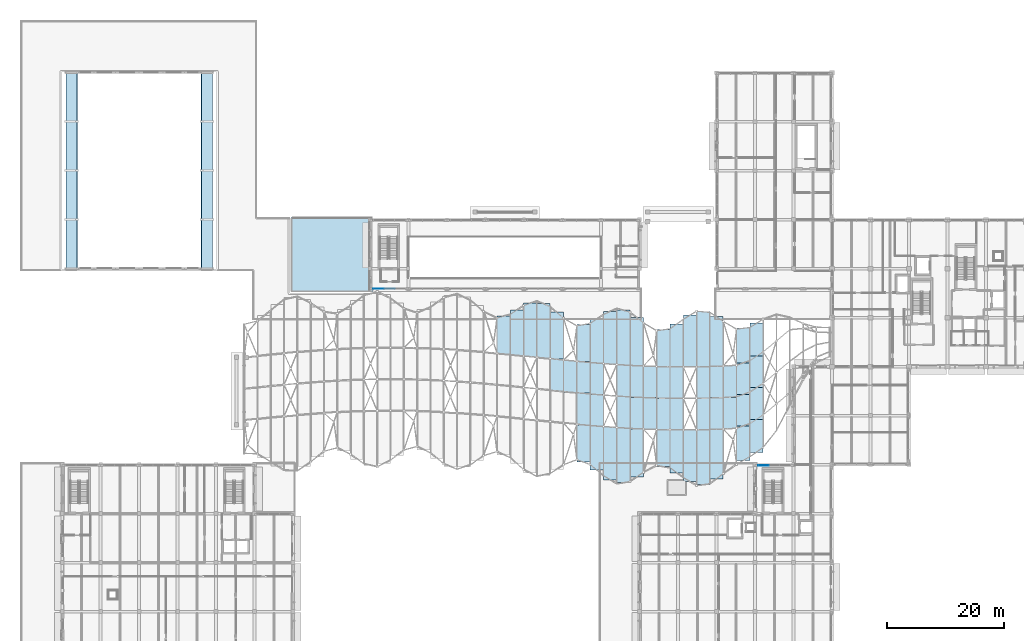
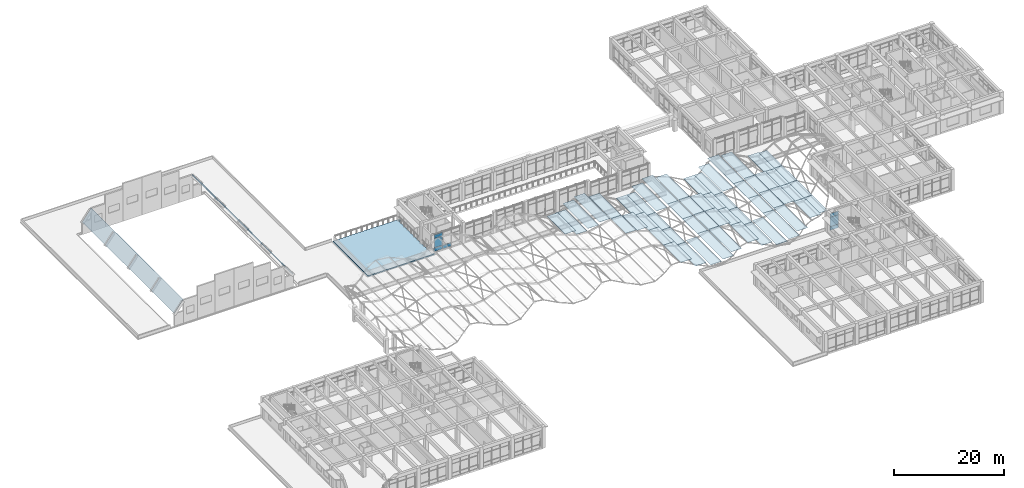
# One storey, part 37 of 79: 62 plates, 3 slabs, 2 elements without a shape of their own.
"""IFC4 building model written with IfcOpenShell, lengths in metres."""

import ifcopenshell
import ifcopenshell.guid

model = None  # the IFC model being written
_history = None  # IfcOwnerHistory: only IFC2X3 demands one
_inside = {}  # id of a spatial element -> (the spatial element, [elements in it])
_under = {}  # id of a project, library or spatial element -> (it, [spatial elements below it])
_declared = {}  # id of a project -> (the project, [libraries it declares])
_typed = {}  # id of a type object -> (the type object, [elements of that type])
_made_of = {}  # id of a material, layer set ... -> (it, [elements and type objects made of it])


def new_model(schema):
    """Start an empty IFC model of exactly this schema.

    Asked for "IFC4X3", IfcOpenShell would pick the latest addendum, in which some entities
    have other attributes; the version numbers below select the first issue.
    IFC2X3 requires an IfcOwnerHistory on every rooted entity: one is made here for all.
    """
    global model, _history
    if schema == "IFC4X3":
        model = ifcopenshell.file(schema_version=(4, 3, 0, 0))
    else:
        model = ifcopenshell.file(schema=schema)
    _inside.clear()
    _under.clear()
    _declared.clear()
    _typed.clear()
    _made_of.clear()
    _history = None
    if model.schema == "IFC2X3":
        org = make("IfcOrganization", Name="unknown")
        user = make(
            "IfcPersonAndOrganization",
            ThePerson=make("IfcPerson", FamilyName="unknown"),
            TheOrganization=org,
        )
        app = make(
            "IfcApplication",
            ApplicationDeveloper=org,
            Version="unknown",
            ApplicationFullName="unknown",
            ApplicationIdentifier="unknown",
        )
        _history = make(
            "IfcOwnerHistory",
            OwningUser=user,
            OwningApplication=app,
            ChangeAction="ADDED",
            CreationDate=0,
        )
    return model


def make(cls, **values):
    """One entity of the class cls with the attributes given. An attribute that is None is left unset."""
    return model.create_entity(
        cls, **{name: value for name, value in values.items() if value is not None}
    )


def rooted(cls, **values):
    """An entity with a GlobalId (a new one), such as an element, a storey or a relation."""
    return make(cls, GlobalId=ifcopenshell.guid.new(), OwnerHistory=_history, **values)


def si_unit(unit_type, name, prefix=None):
    """IfcSIUnit, for example si_unit("LENGTHUNIT", "METRE", prefix="MILLI")."""
    return make("IfcSIUnit", UnitType=unit_type, Prefix=prefix, Name=name)


def assignment(units):
    """IfcUnitAssignment: the units of a project."""
    return None if units is None else make("IfcUnitAssignment", Units=units)


def point(xyz):
    """IfcCartesianPoint."""
    return None if xyz is None else make("IfcCartesianPoint", Coordinates=xyz)


def direction(xyz):
    """IfcDirection."""
    return None if xyz is None else make("IfcDirection", DirectionRatios=xyz)


def frame(location, z_axis=None, x_axis=None):
    """IfcAxis2Placement3D, a coordinate frame: its origin and axes. An axis left out is left unset."""
    return make(
        "IfcAxis2Placement3D",
        Location=point(location),
        Axis=direction(z_axis),
        RefDirection=direction(x_axis),
    )


def frame_2d(location, x_axis=None):
    """IfcAxis2Placement2D, a coordinate frame in the plane: its origin and x axis."""
    return make(
        "IfcAxis2Placement2D", Location=point(location), RefDirection=direction(x_axis)
    )


def origin():
    """The frame at (0, 0, 0) with its axes left unset."""
    return frame((0.0, 0.0, 0.0))


def origin_2d():
    """The frame at (0, 0) in the plane with its x axis left unset."""
    return frame_2d((0.0, 0.0))


def place(relative_to, where):
    """IfcLocalPlacement: puts the frame where relative to a parent placement (None: the world)."""
    return make(
        "IfcLocalPlacement", PlacementRelTo=relative_to, RelativePlacement=where
    )


def context(
    kind, dimensions, precision=None, world=None, true_north=None, identifier=None
):
    """IfcGeometricRepresentationContext, for example the 3D "Model" context."""
    return make(
        "IfcGeometricRepresentationContext",
        ContextIdentifier=identifier,
        ContextType=kind,
        CoordinateSpaceDimension=dimensions,
        Precision=precision,
        WorldCoordinateSystem=world,
        TrueNorth=true_north,
    )


def subcontext(parent, identifier, kind, view, scale=None):
    """IfcGeometricRepresentationSubContext, for example "Body" below "Model"."""
    return make(
        "IfcGeometricRepresentationSubContext",
        ContextIdentifier=identifier,
        ContextType=kind,
        ParentContext=parent,
        TargetScale=scale,
        TargetView=view,
    )


def project(units=None, contexts=None):
    """IfcProject with its units and contexts."""
    return rooted(
        "IfcProject",
        Name="project",
        RepresentationContexts=contexts,
        UnitsInContext=assignment(units),
    )


def spatial(cls, under=None, at=None, **own):
    """A site, building, storey or space (cls), placed at a placement, below another one or the project."""
    s = rooted(cls, ObjectPlacement=at, **own)
    if under is not None:
        _under.setdefault(under.id(), (under, []))[1].append(s)
    return s


def polyline(points):
    """IfcPolyline through the points."""
    return make("IfcPolyline", Points=[point(p) for p in points])


def profile(cls, at=None, kind="AREA", **sizes):
    """A parametric profile (cls). Its sizes go by their IFC names, for example OverallWidth=200.0."""
    return make(cls, ProfileType=kind, Position=at, **sizes)


def rectangle(**sizes):
    """IfcRectangleProfileDef."""
    return profile("IfcRectangleProfileDef", **sizes)


def outline(outer, holes=None, kind="AREA"):
    """IfcArbitraryClosedProfileDef: a profile drawn as a closed curve; with holes, ...WithVoids."""
    if holes is None:
        return make("IfcArbitraryClosedProfileDef", ProfileType=kind, OuterCurve=outer)
    return make(
        "IfcArbitraryProfileDefWithVoids",
        ProfileType=kind,
        OuterCurve=outer,
        InnerCurves=holes,
    )


def extrude(swept, where, along, depth):
    """IfcExtrudedAreaSolid: the profile swept, set in the frame where, extruded along a direction by depth."""
    return make(
        "IfcExtrudedAreaSolid",
        SweptArea=swept,
        Position=where,
        ExtrudedDirection=direction(along),
        Depth=depth,
    )


def shape(context_of_items, identifier, shape_type, items):
    """IfcShapeRepresentation: the items that make up one representation, for example the "Body"."""
    return make(
        "IfcShapeRepresentation",
        ContextOfItems=context_of_items,
        RepresentationIdentifier=identifier,
        RepresentationType=shape_type,
        Items=items,
    )


def material(Name=None, Category=None):
    """IfcMaterial."""
    return make("IfcMaterial", Name=Name, Category=Category)


def layer(
    of_material, thickness, ventilated=None, Name=None, Category=None, Priority=None
):
    """IfcMaterialLayer: one layer of a wall or slab, of a material (None: an air gap)."""
    return make(
        "IfcMaterialLayer",
        Material=of_material,
        LayerThickness=thickness,
        IsVentilated=ventilated,
        Name=Name,
        Category=Category,
        Priority=Priority,
    )


def layer_set(layers, Name=None):
    """IfcMaterialLayerSet."""
    return make("IfcMaterialLayerSet", MaterialLayers=layers, LayerSetName=Name)


def made_of(thing, what):
    """Note that an element or type object is made of a material, layer set ...; save() writes the relation."""
    if what is not None:
        _made_of.setdefault(what.id(), (what, []))[1].append(thing)
    return thing


def type_object(cls, material=None, **own):
    """A type object (cls), such as IfcWallType, which elements share."""
    return made_of(rooted(cls, **own), material)


def element(
    cls,
    number,
    at=None,
    inside=None,
    cuts=None,
    type_object=None,
    material=None,
    context=None,
    identifier="Body",
    shape_type=None,
    held_by="IfcProductDefinitionShape",
    body=None,
    shapes=None,
    **own,
):
    """One element of the class cls, such as IfcWall. Its Tag is "e" and its number.

    at: its placement. inside: the storey or other place that contains it. cuts: it is an
    opening in that element (IfcRelVoidsElement). A single representation is given by context,
    identifier, shape_type and body (its items); several are given by shapes. held_by: the class
    of the entity that holds the representations. save() writes the other relations.
    """
    e = rooted(cls, Tag="e%d" % number, ObjectPlacement=at, **own)
    if body is not None:
        shapes = [shape(context, identifier, shape_type, body)]
    if shapes is not None:
        e.Representation = make(held_by, Representations=shapes)
    if inside is not None:
        _inside.setdefault(inside.id(), (inside, []))[1].append(e)
    if cuts is not None:
        rooted(
            "IfcRelVoidsElement", RelatingBuildingElement=cuts, RelatedOpeningElement=e
        )
    if type_object is not None:
        _typed.setdefault(type_object.id(), (type_object, []))[1].append(e)
    return made_of(e, material)


def aggregate(whole, parts):
    """IfcRelAggregates: a whole, such as a stair, and the parts it consists of."""
    return rooted("IfcRelAggregates", RelatingObject=whole, RelatedObjects=parts)


def save(model, path):
    """Write the relations noted so far, then the file.

    IfcRelAggregates (storeys below a building ...), IfcRelContainedInSpatialStructure (elements
    in a storey), IfcRelDefinesByType, IfcRelAssociatesMaterial and IfcRelDeclares: one each for
    every whole, place, type object, material and project.
    """
    for whole, parts in _under.values():
        aggregate(whole, parts)
    for where, things in _inside.values():
        rooted(
            "IfcRelContainedInSpatialStructure",
            RelatedElements=things,
            RelatingStructure=where,
        )
    for kind, things in _typed.values():
        rooted("IfcRelDefinesByType", RelatedObjects=things, RelatingType=kind)
    for what, things in _made_of.values():
        rooted("IfcRelAssociatesMaterial", RelatedObjects=things, RelatingMaterial=what)
    for by, libraries in _declared.values():
        rooted("IfcRelDeclares", RelatingContext=by, RelatedDefinitions=libraries)
    model.write(path)


model = new_model("IFC4")

# Units and contexts
model_context = context("Model", 3, precision=1e-05, world=origin(), true_north=direction((0.0, 1.0)))
body_context = subcontext(model_context, "Body", "Model", "MODEL_VIEW")
ifc_project = project(units=[si_unit("LENGTHUNIT", "METRE"), si_unit("AREAUNIT", "SQUARE_METRE"), si_unit("VOLUMEUNIT", "CUBIC_METRE"), si_unit("PLANEANGLEUNIT", "RADIAN"), si_unit("MASSUNIT", "GRAM", prefix="KILO")], contexts=[model_context])

# Site, building, storey
site_placement = place(None, origin())
site = spatial("IfcSite", under=ifc_project, at=site_placement, CompositionType="ELEMENT")
building_placement = place(site_placement, origin())
building = spatial("IfcBuilding", under=site, at=building_placement, Name="Kolvaren Faculty of Natural Sciences", CompositionType="ELEMENT")
storey_placement = place(building_placement, frame((0.0, 0.0, 10.199951171875)))
storey = spatial("IfcBuildingStorey", under=building, at=storey_placement, Name="L02", CompositionType="ELEMENT", Elevation=10.199951171875)

# Slabs
ifc_material_1 = material(Name="Concrete C40/50", Category="concrete")
ifc_layer_1 = layer(ifc_material_1, 0.110107421875)
ifc_layer_set_1 = layer_set([ifc_layer_1], Name="Concrete C40/50")
slab_type_1 = type_object("IfcSlabType", Name="BarrelShellStrip_110", PredefinedType="ROOF", material=ifc_layer_set_1)
for number, where, z_axis, x_axis, name in (
    (1, (7.446044921875, 75.800048828125, 2.71923828125), (-0.794530605867, 0.0, 0.60722410718), (0.60722410718, 0.0, 0.794530605867), "Lecture Theatre Pavilion Barrel Vault Shell vault strip 2"),
    (2, (30.678955078125, 75.800048828125, 5.172607421875), (0.794530605867, 0.0, 0.60722410718), (0.60722410718, 0.0, -0.794530605867), "Lecture Theatre Pavilion Barrel Vault Shell vault strip 9"),
):
    element("IfcSlab", number, at=place(storey_placement, frame(where, z_axis=z_axis, x_axis=x_axis)), inside=storey, type_object=slab_type_1, Name=name, PredefinedType="ROOF", context=body_context, shape_type="SweptSolid", body=[
        extrude(outline(polyline([(0.0, 0.0), (3.0878220706787904, 0.0), (3.0878220706787904, 33.59985351562501), (0.0, 33.59985351562501), (0.0, 0.0)])), origin(), (0.0, 0.0, -1.0), 0.110107421875),
    ])

# Plates
ifc_material_2 = material(Name="Double low-E solar control laminated skylight glass", Category="glass")
ifc_layer_2 = layer(ifc_material_2, 0.031982421875)
ifc_layer_set_2 = layer_set([ifc_layer_2], Name="Double low-E solar control laminated skylight glass")
plate_type_1 = type_object("IfcPlateType", Name="CanopyTranslucentSkylight_32", PredefinedType="USERDEFINED", material=ifc_layer_set_2)
plate_1_placement = place(storey_placement, frame((82.49560546875, 64.408447265625, 3.36767578125), z_axis=(0.0, 0.0, 1.0), x_axis=(1.0, 0.0, 0.0)))
element("IfcPlate", 3, at=plate_1_placement, inside=storey, type_object=plate_type_1, Name="Covered street canopy translucent skylight panel 20.N1", ObjectType="SKYLIGHT PANEL", PredefinedType="USERDEFINED", context=body_context, shape_type="SweptSolid", body=[
    extrude(rectangle(XDim=2.251953125, YDim=6.526611328125, at=origin_2d()), origin(), (0.0, 0.0, 1.0), 0.031982421875),
])
plate_2_placement = place(storey_placement, frame((84.77734375, 64.831787109375, 2.63330078125), z_axis=(0.0, 0.0, 1.0), x_axis=(1.0, 0.0, 0.0)))
element("IfcPlate", 4, at=plate_2_placement, inside=storey, type_object=plate_type_1, Name="Covered street canopy translucent skylight panel 21.N1", ObjectType="SKYLIGHT PANEL", PredefinedType="USERDEFINED", context=body_context, shape_type="SweptSolid", body=[
    extrude(rectangle(XDim=2.251708984375, YDim=7.823486328125, at=origin_2d()), origin(), (0.0, 0.0, 1.0), 0.031982421875),
])
plate_3_placement = place(storey_placement, frame((87.05908203125, 65.289306640625, 3.27392578125), z_axis=(0.0, 0.0, 1.0), x_axis=(1.0, 0.0, 0.0)))
element("IfcPlate", 5, at=plate_3_placement, inside=storey, type_object=plate_type_1, Name="Covered street canopy translucent skylight panel 22.N1", ObjectType="SKYLIGHT PANEL", PredefinedType="USERDEFINED", context=body_context, shape_type="SweptSolid", body=[
    extrude(rectangle(XDim=2.251708984375, YDim=9.20361328125, at=origin_2d()), origin(), (0.0, 0.0, 1.0), 0.031982421875),
])
plate_4_placement = place(storey_placement, frame((89.3408203125, 65.123291015625, 4.03369140625), z_axis=(0.0, 0.0, 1.0), x_axis=(1.0, 0.0, 0.0)))
element("IfcPlate", 6, at=plate_4_placement, inside=storey, type_object=plate_type_1, Name="Covered street canopy translucent skylight panel 23.N1", ObjectType="SKYLIGHT PANEL", PredefinedType="USERDEFINED", context=body_context, shape_type="SweptSolid", body=[
    extrude(rectangle(XDim=2.251708984375, YDim=9.34130859375, at=origin_2d()), origin(), (0.0, 0.0, 1.0), 0.031982421875),
])
plate_5_placement = place(storey_placement, frame((91.622802734375, 57.55029296875, 4.13720703125), z_axis=(0.0, 0.0, 1.0), x_axis=(1.0, 0.0, 0.0)))
element("IfcPlate", 7, at=plate_5_placement, inside=storey, type_object=plate_type_1, Name="Covered street canopy translucent skylight panel 24.N2", ObjectType="SKYLIGHT PANEL", PredefinedType="USERDEFINED", context=body_context, shape_type="SweptSolid", body=[
    extrude(rectangle(XDim=2.251708984375, YDim=5.4599609375, at=origin_2d()), origin(), (0.0, 0.0, 1.0), 0.031982421875),
])
plate_6_placement = place(storey_placement, frame((91.622802734375, 64.2724609375, 4.13720703125), z_axis=(0.0, 0.0, 1.0), x_axis=(1.0, 0.0, 0.0)))
element("IfcPlate", 8, at=plate_6_placement, inside=storey, type_object=plate_type_1, Name="Covered street canopy translucent skylight panel 24.N1", ObjectType="SKYLIGHT PANEL", PredefinedType="USERDEFINED", context=body_context, shape_type="SweptSolid", body=[
    extrude(rectangle(XDim=2.251708984375, YDim=8.104736328125, at=origin_2d()), origin(), (0.0, 0.0, 1.0), 0.031982421875),
])
plate_7_placement = place(storey_placement, frame((93.904541015625, 57.32470703125, 4.13720703125), z_axis=(0.0, 0.0, 1.0), x_axis=(1.0, 0.0, 0.0)))
element("IfcPlate", 9, at=plate_7_placement, inside=storey, type_object=plate_type_1, Name="Covered street canopy translucent skylight panel 25.N2", ObjectType="SKYLIGHT PANEL", PredefinedType="USERDEFINED", context=body_context, shape_type="SweptSolid", body=[
    extrude(rectangle(XDim=2.251953125, YDim=5.4599609375, at=origin_2d()), origin(), (0.0, 0.0, 1.0), 0.031982421875),
])
plate_8_placement = place(storey_placement, frame((96.186279296875, 45.822509765625, 3.48486328125), z_axis=(0.0, 0.0, 1.0), x_axis=(1.0, 0.0, 0.0)))
element("IfcPlate", 10, at=plate_8_placement, inside=storey, type_object=plate_type_1, Name="Covered street canopy translucent skylight panel 26.S1", ObjectType="SKYLIGHT PANEL", PredefinedType="USERDEFINED", context=body_context, shape_type="SweptSolid", body=[
    extrude(rectangle(XDim=2.251708984375, YDim=6.4375, at=origin_2d()), origin(), (0.0, 0.0, 1.0), 0.031982421875),
])
for number, where, z_axis, x_axis, name in (
    (11, (96.186279296875, 51.711181640625, 3.48486328125), (0.0, 0.0, 1.0), (1.0, 0.0, 0.0), "Covered street canopy translucent skylight panel 26.S2"),
    (12, (96.186279296875, 57.111083984375, 3.48486328125), (0.0, 0.0, 1.0), (1.0, 0.0, 0.0), "Covered street canopy translucent skylight panel 26.N2"),
):
    element("IfcPlate", number, at=place(storey_placement, frame(where, z_axis=z_axis, x_axis=x_axis)), inside=storey, type_object=plate_type_1, Name=name, ObjectType="SKYLIGHT PANEL", PredefinedType="USERDEFINED", context=body_context, shape_type="SweptSolid", body=[
        extrude(rectangle(XDim=2.251708984375, YDim=5.4599609375, at=origin_2d()), origin(), (0.0, 0.0, 1.0), 0.031982421875),
    ])
plate_9_placement = place(storey_placement, frame((96.186279296875, 63.0, 3.48486328125), z_axis=(0.0, 0.0, 1.0), x_axis=(1.0, 0.0, 0.0)))
element("IfcPlate", 13, at=plate_9_placement, inside=storey, type_object=plate_type_1, Name="Covered street canopy translucent skylight panel 26.N1", ObjectType="SKYLIGHT PANEL", PredefinedType="USERDEFINED", context=body_context, shape_type="SweptSolid", body=[
    extrude(rectangle(XDim=2.251708984375, YDim=6.4375, at=origin_2d()), origin(), (0.0, 0.0, 1.0), 0.031982421875),
])
plate_10_placement = place(storey_placement, frame((98.46826171875, 45.039794921875, 2.703125), z_axis=(0.0, 0.0, 1.0), x_axis=(1.0, 0.0, 0.0)))
element("IfcPlate", 14, at=plate_10_placement, inside=storey, type_object=plate_type_1, Name="Covered street canopy translucent skylight panel 27.S1", ObjectType="SKYLIGHT PANEL", PredefinedType="USERDEFINED", context=body_context, shape_type="SweptSolid", body=[
    extrude(rectangle(XDim=2.251708984375, YDim=7.60791015625, at=origin_2d()), origin(), (0.0, 0.0, 1.0), 0.031982421875),
])
for number, where, z_axis, x_axis, name in (
    (15, (98.46826171875, 51.513671875, 2.703125), (0.0, 0.0, 1.0), (1.0, 0.0, 0.0), "Covered street canopy translucent skylight panel 27.S2"),
    (16, (98.46826171875, 56.913818359375, 2.703125), (0.0, 0.0, 1.0), (1.0, 0.0, 0.0), "Covered street canopy translucent skylight panel 27.N2"),
):
    element("IfcPlate", number, at=place(storey_placement, frame(where, z_axis=z_axis, x_axis=x_axis)), inside=storey, type_object=plate_type_1, Name=name, ObjectType="SKYLIGHT PANEL", PredefinedType="USERDEFINED", context=body_context, shape_type="SweptSolid", body=[
        extrude(rectangle(XDim=2.251708984375, YDim=5.4599609375, at=origin_2d()), origin(), (0.0, 0.0, 1.0), 0.031982421875),
    ])
plate_11_placement = place(storey_placement, frame((98.46826171875, 63.3876953125, 2.703125), z_axis=(0.0, 0.0, 1.0), x_axis=(1.0, 0.0, 0.0)))
element("IfcPlate", 17, at=plate_11_placement, inside=storey, type_object=plate_type_1, Name="Covered street canopy translucent skylight panel 27.N1", ObjectType="SKYLIGHT PANEL", PredefinedType="USERDEFINED", context=body_context, shape_type="SweptSolid", body=[
    extrude(rectangle(XDim=2.251708984375, YDim=7.60791015625, at=origin_2d()), origin(), (0.0, 0.0, 1.0), 0.031982421875),
])
for number, where, z_axis, x_axis, name in (
    (18, (100.75, 44.132080078125, 3.15771484375), (0.0, 0.0, 1.0), (1.0, 0.0, 0.0), "Covered street canopy translucent skylight panel 28.S1"),
    (19, (100.75, 63.940185546875, 3.15771484375), (0.0, 0.0, 1.0), (1.0, 0.0, 0.0), "Covered street canopy translucent skylight panel 28.N1"),
):
    element("IfcPlate", number, at=place(storey_placement, frame(where, z_axis=z_axis, x_axis=x_axis)), inside=storey, type_object=plate_type_1, Name=name, ObjectType="SKYLIGHT PANEL", PredefinedType="USERDEFINED", context=body_context, shape_type="SweptSolid", body=[
        extrude(rectangle(XDim=2.251708984375, YDim=9.068115234375, at=origin_2d()), origin(), (0.0, 0.0, 1.0), 0.031982421875),
    ])
plate_12_placement = place(storey_placement, frame((103.03173828125, 43.80419921875, 3.95703125), z_axis=(0.0, 0.0, 1.0), x_axis=(1.0, 0.0, 0.0)))
element("IfcPlate", 20, at=plate_12_placement, inside=storey, type_object=plate_type_1, Name="Covered street canopy translucent skylight panel 29.S1", ObjectType="SKYLIGHT PANEL", PredefinedType="USERDEFINED", context=body_context, shape_type="SweptSolid", body=[
    extrude(rectangle(XDim=2.251708984375, YDim=9.41650390625, at=origin_2d()), origin(), (0.0, 0.0, 1.0), 0.031982421875),
])
for number, where, z_axis, x_axis, name in (
    (21, (103.03173828125, 51.1826171875, 3.95703125), (0.0, 0.0, 1.0), (1.0, 0.0, 0.0), "Covered street canopy translucent skylight panel 29.S2"),
    (22, (103.03173828125, 56.58251953125, 3.95703125), (0.0, 0.0, 1.0), (1.0, 0.0, 0.0), "Covered street canopy translucent skylight panel 29.N2"),
):
    element("IfcPlate", number, at=place(storey_placement, frame(where, z_axis=z_axis, x_axis=x_axis)), inside=storey, type_object=plate_type_1, Name=name, ObjectType="SKYLIGHT PANEL", PredefinedType="USERDEFINED", context=body_context, shape_type="SweptSolid", body=[
        extrude(rectangle(XDim=2.251708984375, YDim=5.4599609375, at=origin_2d()), origin(), (0.0, 0.0, 1.0), 0.031982421875),
    ])
plate_13_placement = place(storey_placement, frame((103.03173828125, 63.960693359375, 3.95703125), z_axis=(0.0, 0.0, 1.0), x_axis=(1.0, 0.0, 0.0)))
element("IfcPlate", 23, at=plate_13_placement, inside=storey, type_object=plate_type_1, Name="Covered street canopy translucent skylight panel 29.N1", ObjectType="SKYLIGHT PANEL", PredefinedType="USERDEFINED", context=body_context, shape_type="SweptSolid", body=[
    extrude(rectangle(XDim=2.251708984375, YDim=9.41650390625, at=origin_2d()), origin(), (0.0, 0.0, 1.0), 0.031982421875),
])
plate_14_placement = place(storey_placement, frame((105.313720703125, 44.226318359375, 4.173828125), z_axis=(0.0, 0.0, 1.0), x_axis=(1.0, 0.0, 0.0)))
element("IfcPlate", 24, at=plate_14_placement, inside=storey, type_object=plate_type_1, Name="Covered street canopy translucent skylight panel 30.S1", ObjectType="SKYLIGHT PANEL", PredefinedType="USERDEFINED", context=body_context, shape_type="SweptSolid", body=[
    extrude(rectangle(XDim=2.251708984375, YDim=8.318359375, at=origin_2d()), origin(), (0.0, 0.0, 1.0), 0.031982421875),
])
for number, where, z_axis, x_axis, name in (
    (25, (105.313720703125, 51.055419921875, 4.173828125), (0.0, 0.0, 1.0), (1.0, 0.0, 0.0), "Covered street canopy translucent skylight panel 30.S2"),
    (26, (105.313720703125, 56.45556640625, 4.173828125), (0.0, 0.0, 1.0), (1.0, 0.0, 0.0), "Covered street canopy translucent skylight panel 30.N2"),
):
    element("IfcPlate", number, at=place(storey_placement, frame(where, z_axis=z_axis, x_axis=x_axis)), inside=storey, type_object=plate_type_1, Name=name, ObjectType="SKYLIGHT PANEL", PredefinedType="USERDEFINED", context=body_context, shape_type="SweptSolid", body=[
        extrude(rectangle(XDim=2.251708984375, YDim=5.4599609375, at=origin_2d()), origin(), (0.0, 0.0, 1.0), 0.031982421875),
    ])
plate_15_placement = place(storey_placement, frame((105.313720703125, 63.28466796875, 4.173828125), z_axis=(0.0, 0.0, 1.0), x_axis=(1.0, 0.0, 0.0)))
element("IfcPlate", 27, at=plate_15_placement, inside=storey, type_object=plate_type_1, Name="Covered street canopy translucent skylight panel 30.N1", ObjectType="SKYLIGHT PANEL", PredefinedType="USERDEFINED", context=body_context, shape_type="SweptSolid", body=[
    extrude(rectangle(XDim=2.251708984375, YDim=8.318115234375, at=origin_2d()), origin(), (0.0, 0.0, 1.0), 0.031982421875),
])
for number, where, z_axis, x_axis, name in (
    (28, (107.595458984375, 50.9580078125, 4.173828125), (0.0, 0.0, 1.0), (1.0, 0.0, 0.0), "Covered street canopy translucent skylight panel 31.S2"),
    (29, (107.595458984375, 56.35791015625, 4.173828125), (0.0, 0.0, 1.0), (1.0, 0.0, 0.0), "Covered street canopy translucent skylight panel 31.N2"),
):
    element("IfcPlate", number, at=place(storey_placement, frame(where, z_axis=z_axis, x_axis=x_axis)), inside=storey, type_object=plate_type_1, Name=name, ObjectType="SKYLIGHT PANEL", PredefinedType="USERDEFINED", context=body_context, shape_type="SweptSolid", body=[
        extrude(rectangle(XDim=2.251953125, YDim=5.4599609375, at=origin_2d()), origin(), (0.0, 0.0, 1.0), 0.031982421875),
    ])
plate_16_placement = place(storey_placement, frame((109.877197265625, 45.033447265625, 3.599609375), z_axis=(0.0, 0.0, 1.0), x_axis=(1.0, 0.0, 0.0)))
element("IfcPlate", 30, at=plate_16_placement, inside=storey, type_object=plate_type_1, Name="Covered street canopy translucent skylight panel 32.S1", ObjectType="SKYLIGHT PANEL", PredefinedType="USERDEFINED", context=body_context, shape_type="SweptSolid", body=[
    extrude(rectangle(XDim=2.251708984375, YDim=6.376708984375, at=origin_2d()), origin(), (0.0, 0.0, 1.0), 0.031982421875),
])
for number, where, z_axis, x_axis, name in (
    (31, (109.877197265625, 50.891845703125, 3.599609375), (0.0, 0.0, 1.0), (1.0, 0.0, 0.0), "Covered street canopy translucent skylight panel 32.S2"),
    (32, (109.877197265625, 56.291748046875, 3.599609375), (0.0, 0.0, 1.0), (1.0, 0.0, 0.0), "Covered street canopy translucent skylight panel 32.N2"),
):
    element("IfcPlate", number, at=place(storey_placement, frame(where, z_axis=z_axis, x_axis=x_axis)), inside=storey, type_object=plate_type_1, Name=name, ObjectType="SKYLIGHT PANEL", PredefinedType="USERDEFINED", context=body_context, shape_type="SweptSolid", body=[
        extrude(rectangle(XDim=2.251708984375, YDim=5.4599609375, at=origin_2d()), origin(), (0.0, 0.0, 1.0), 0.031982421875),
    ])
plate_17_placement = place(storey_placement, frame((109.877197265625, 62.150146484375, 3.599609375), z_axis=(0.0, 0.0, 1.0), x_axis=(1.0, 0.0, 0.0)))
element("IfcPlate", 33, at=plate_17_placement, inside=storey, type_object=plate_type_1, Name="Covered street canopy translucent skylight panel 32.N1", ObjectType="SKYLIGHT PANEL", PredefinedType="USERDEFINED", context=body_context, shape_type="SweptSolid", body=[
    extrude(rectangle(XDim=2.251708984375, YDim=6.376708984375, at=origin_2d()), origin(), (0.0, 0.0, 1.0), 0.031982421875),
])
plate_18_placement = place(storey_placement, frame((112.1591796875, 44.489501953125, 2.78564453125), z_axis=(0.0, 0.0, 1.0), x_axis=(1.0, 0.0, 0.0)))
element("IfcPlate", 34, at=plate_18_placement, inside=storey, type_object=plate_type_1, Name="Covered street canopy translucent skylight panel 33.S1", ObjectType="SKYLIGHT PANEL", PredefinedType="USERDEFINED", context=body_context, shape_type="SweptSolid", body=[
    extrude(rectangle(XDim=2.251708984375, YDim=7.397705078125, at=origin_2d()), origin(), (0.0, 0.0, 1.0), 0.031982421875),
])
for number, where, z_axis, x_axis, name in (
    (35, (112.1591796875, 50.8583984375, 2.78564453125), (0.0, 0.0, 1.0), (1.0, 0.0, 0.0), "Covered street canopy translucent skylight panel 33.S2"),
    (36, (112.1591796875, 56.25830078125, 2.78564453125), (0.0, 0.0, 1.0), (1.0, 0.0, 0.0), "Covered street canopy translucent skylight panel 33.N2"),
):
    element("IfcPlate", number, at=place(storey_placement, frame(where, z_axis=z_axis, x_axis=x_axis)), inside=storey, type_object=plate_type_1, Name=name, ObjectType="SKYLIGHT PANEL", PredefinedType="USERDEFINED", context=body_context, shape_type="SweptSolid", body=[
        extrude(rectangle(XDim=2.251708984375, YDim=5.4599609375, at=origin_2d()), origin(), (0.0, 0.0, 1.0), 0.031982421875),
    ])
plate_19_placement = place(storey_placement, frame((112.1591796875, 62.627197265625, 2.78564453125), z_axis=(0.0, 0.0, 1.0), x_axis=(1.0, 0.0, 0.0)))
element("IfcPlate", 37, at=plate_19_placement, inside=storey, type_object=plate_type_1, Name="Covered street canopy translucent skylight panel 33.N1", ObjectType="SKYLIGHT PANEL", PredefinedType="USERDEFINED", context=body_context, shape_type="SweptSolid", body=[
    extrude(rectangle(XDim=2.251708984375, YDim=7.397705078125, at=origin_2d()), origin(), (0.0, 0.0, 1.0), 0.031982421875),
])
for number, where, z_axis, x_axis, name in (
    (38, (114.44091796875, 43.73291015625, 3.044921875), (0.0, 0.0, 1.0), (1.0, 0.0, 0.0), "Covered street canopy translucent skylight panel 34.S1"),
    (39, (114.44091796875, 63.3837890625, 3.044921875), (0.0, 0.0, 1.0), (1.0, 0.0, 0.0), "Covered street canopy translucent skylight panel 34.N1"),
):
    element("IfcPlate", number, at=place(storey_placement, frame(where, z_axis=z_axis, x_axis=x_axis)), inside=storey, type_object=plate_type_1, Name=name, ObjectType="SKYLIGHT PANEL", PredefinedType="USERDEFINED", context=body_context, shape_type="SweptSolid", body=[
        extrude(rectangle(XDim=2.251708984375, YDim=8.91064453125, at=origin_2d()), origin(), (0.0, 0.0, 1.0), 0.031982421875),
    ])
plate_20_placement = place(storey_placement, frame((116.72265625, 43.490478515625, 3.869140625), z_axis=(0.0, 0.0, 1.0), x_axis=(1.0, 0.0, 0.0)))
element("IfcPlate", 40, at=plate_20_placement, inside=storey, type_object=plate_type_1, Name="Covered street canopy translucent skylight panel 35.S1", ObjectType="SKYLIGHT PANEL", PredefinedType="USERDEFINED", context=body_context, shape_type="SweptSolid", body=[
    extrude(rectangle(XDim=2.251708984375, YDim=9.462646484375, at=origin_2d()), origin(), (0.0, 0.0, 1.0), 0.031982421875),
])
for number, where, z_axis, x_axis, name in (
    (41, (116.72265625, 50.891845703125, 3.869140625), (0.0, 0.0, 1.0), (1.0, 0.0, 0.0), "Covered street canopy translucent skylight panel 35.S2"),
    (42, (116.72265625, 56.291748046875, 3.869140625), (0.0, 0.0, 1.0), (1.0, 0.0, 0.0), "Covered street canopy translucent skylight panel 35.N2"),
):
    element("IfcPlate", number, at=place(storey_placement, frame(where, z_axis=z_axis, x_axis=x_axis)), inside=storey, type_object=plate_type_1, Name=name, ObjectType="SKYLIGHT PANEL", PredefinedType="USERDEFINED", context=body_context, shape_type="SweptSolid", body=[
        extrude(rectangle(XDim=2.251708984375, YDim=5.4599609375, at=origin_2d()), origin(), (0.0, 0.0, 1.0), 0.031982421875),
    ])
plate_21_placement = place(storey_placement, frame((116.72265625, 63.693115234375, 3.869140625), z_axis=(0.0, 0.0, 1.0), x_axis=(1.0, 0.0, 0.0)))
element("IfcPlate", 43, at=plate_21_placement, inside=storey, type_object=plate_type_1, Name="Covered street canopy translucent skylight panel 35.N1", ObjectType="SKYLIGHT PANEL", PredefinedType="USERDEFINED", context=body_context, shape_type="SweptSolid", body=[
    extrude(rectangle(XDim=2.251708984375, YDim=9.462646484375, at=origin_2d()), origin(), (0.0, 0.0, 1.0), 0.031982421875),
])
plate_22_placement = place(storey_placement, frame((119.00439453125, 44.026123046875, 4.19482421875), z_axis=(0.0, 0.0, 1.0), x_axis=(1.0, 0.0, 0.0)))
element("IfcPlate", 44, at=plate_22_placement, inside=storey, type_object=plate_type_1, Name="Covered street canopy translucent skylight panel 36.S1", ObjectType="SKYLIGHT PANEL", PredefinedType="USERDEFINED", context=body_context, shape_type="SweptSolid", body=[
    extrude(rectangle(XDim=2.251953125, YDim=8.523681640625, at=origin_2d()), origin(), (0.0, 0.0, 1.0), 0.031982421875),
])
for number, where, z_axis, x_axis, name in (
    (45, (119.00439453125, 50.9580078125, 4.19482421875), (0.0, 0.0, 1.0), (1.0, 0.0, 0.0), "Covered street canopy translucent skylight panel 36.S2"),
    (46, (119.00439453125, 56.35791015625, 4.19482421875), (0.0, 0.0, 1.0), (1.0, 0.0, 0.0), "Covered street canopy translucent skylight panel 36.N2"),
):
    element("IfcPlate", number, at=place(storey_placement, frame(where, z_axis=z_axis, x_axis=x_axis)), inside=storey, type_object=plate_type_1, Name=name, ObjectType="SKYLIGHT PANEL", PredefinedType="USERDEFINED", context=body_context, shape_type="SweptSolid", body=[
        extrude(rectangle(XDim=2.251953125, YDim=5.4599609375, at=origin_2d()), origin(), (0.0, 0.0, 1.0), 0.031982421875),
    ])
plate_23_placement = place(storey_placement, frame((119.00439453125, 63.289794921875, 4.19482421875), z_axis=(0.0, 0.0, 1.0), x_axis=(1.0, 0.0, 0.0)))
element("IfcPlate", 47, at=plate_23_placement, inside=storey, type_object=plate_type_1, Name="Covered street canopy translucent skylight panel 36.N1", ObjectType="SKYLIGHT PANEL", PredefinedType="USERDEFINED", context=body_context, shape_type="SweptSolid", body=[
    extrude(rectangle(XDim=2.251953125, YDim=8.523681640625, at=origin_2d()), origin(), (0.0, 0.0, 1.0), 0.031982421875),
])
for number, where, z_axis, x_axis, name in (
    (48, (121.286376953125, 51.06494140625, 4.19482421875), (0.0, 0.0, 1.0), (1.0, 0.0, 0.0), "Covered street canopy translucent skylight panel 37.S2"),
    (49, (121.286376953125, 56.46484375, 4.19482421875), (0.0, 0.0, 1.0), (1.0, 0.0, 0.0), "Covered street canopy translucent skylight panel 37.N2"),
):
    element("IfcPlate", number, at=place(storey_placement, frame(where, z_axis=z_axis, x_axis=x_axis)), inside=storey, type_object=plate_type_1, Name=name, ObjectType="SKYLIGHT PANEL", PredefinedType="USERDEFINED", context=body_context, shape_type="SweptSolid", body=[
        extrude(rectangle(XDim=2.251708984375, YDim=5.4599609375, at=origin_2d()), origin(), (0.0, 0.0, 1.0), 0.031982421875),
    ])
plate_24_placement = place(storey_placement, frame((123.568115234375, 45.85888671875, 3.70947265625), z_axis=(0.0, 0.0, 1.0), x_axis=(1.0, 0.0, 0.0)))
element("IfcPlate", 50, at=plate_24_placement, inside=storey, type_object=plate_type_1, Name="Covered street canopy translucent skylight panel 38.S1", ObjectType="SKYLIGHT PANEL", PredefinedType="USERDEFINED", context=body_context, shape_type="SweptSolid", body=[
    extrude(rectangle(XDim=2.251708984375, YDim=5.99951171875, at=origin_2d()), origin(), (0.0, 0.0, 1.0), 0.031982421875),
])
for number, where, z_axis, x_axis, name in (
    (51, (123.568115234375, 51.528564453125, 3.70947265625), (0.0, 0.0, 1.0), (1.0, 0.0, 0.0), "Covered street canopy translucent skylight panel 38.S2"),
    (52, (123.568115234375, 56.9287109375, 3.70947265625), (0.0, 0.0, 1.0), (1.0, 0.0, 0.0), "Covered street canopy translucent skylight panel 38.N2"),
):
    element("IfcPlate", number, at=place(storey_placement, frame(where, z_axis=z_axis, x_axis=x_axis)), inside=storey, type_object=plate_type_1, Name=name, ObjectType="SKYLIGHT PANEL", PredefinedType="USERDEFINED", context=body_context, shape_type="SweptSolid", body=[
        extrude(rectangle(XDim=2.251708984375, YDim=5.4599609375, at=origin_2d()), origin(), (0.0, 0.0, 1.0), 0.031982421875),
    ])
plate_25_placement = place(storey_placement, frame((123.568115234375, 62.598388671875, 3.70947265625), z_axis=(0.0, 0.0, 1.0), x_axis=(1.0, 0.0, 0.0)))
element("IfcPlate", 53, at=plate_25_placement, inside=storey, type_object=plate_type_1, Name="Covered street canopy translucent skylight panel 38.N1", ObjectType="SKYLIGHT PANEL", PredefinedType="USERDEFINED", context=body_context, shape_type="SweptSolid", body=[
    extrude(rectangle(XDim=2.251708984375, YDim=5.99951171875, at=origin_2d()), origin(), (0.0, 0.0, 1.0), 0.031982421875),
])
plate_26_placement = place(storey_placement, frame((125.85009765625, 47.159912109375, 2.87890625), z_axis=(0.0, 0.0, 1.0), x_axis=(1.0, 0.0, 0.0)))
element("IfcPlate", 54, at=plate_26_placement, inside=storey, type_object=plate_type_1, Name="Covered street canopy translucent skylight panel 39.S1", ObjectType="SKYLIGHT PANEL", PredefinedType="USERDEFINED", context=body_context, shape_type="SweptSolid", body=[
    extrude(rectangle(XDim=2.251708984375, YDim=5.697265625, at=origin_2d()), origin(), (0.0, 0.0, 1.0), 0.031982421875),
])
for number, where, z_axis, x_axis, name in (
    (55, (125.85009765625, 52.6787109375, 2.87890625), (0.0, 0.0, 1.0), (1.0, 0.0, 0.0), "Covered street canopy translucent skylight panel 39.S2"),
    (56, (125.85009765625, 58.07861328125, 2.87890625), (0.0, 0.0, 1.0), (1.0, 0.0, 0.0), "Covered street canopy translucent skylight panel 39.N2"),
):
    element("IfcPlate", number, at=place(storey_placement, frame(where, z_axis=z_axis, x_axis=x_axis)), inside=storey, type_object=plate_type_1, Name=name, ObjectType="SKYLIGHT PANEL", PredefinedType="USERDEFINED", context=body_context, shape_type="SweptSolid", body=[
        extrude(rectangle(XDim=2.251708984375, YDim=5.4599609375, at=origin_2d()), origin(), (0.0, 0.0, 1.0), 0.031982421875),
    ])
plate_27_placement = place(storey_placement, frame((125.85009765625, 63.59716796875, 2.87890625), z_axis=(0.0, 0.0, 1.0), x_axis=(1.0, 0.0, 0.0)))
element("IfcPlate", 57, at=plate_27_placement, inside=storey, type_object=plate_type_1, Name="Covered street canopy translucent skylight panel 39.N1", ObjectType="SKYLIGHT PANEL", PredefinedType="USERDEFINED", context=body_context, shape_type="SweptSolid", body=[
    extrude(rectangle(XDim=2.251708984375, YDim=5.697265625, at=origin_2d()), origin(), (0.0, 0.0, 1.0), 0.031982421875),
])

# Curtain wall, plate
ifc_material_3 = material(Name="Thermally broken anodised aluminium framing", Category="aluminium")
ifc_layer_3 = layer(ifc_material_3, 0.179931640625)
ifc_layer_set_3 = layer_set([ifc_layer_3], Name="Thermally broken anodised aluminium framing")
curtain_wall_type_1 = type_object("IfcCurtainWallType", Name="CommonsCurtainWall_CW02", PredefinedType="NOTDEFINED", material=ifc_layer_set_3)
curtain_wall_1_placement = place(storey_placement, origin())
curtain_wall_1 = element("IfcCurtainWall", 58, at=curtain_wall_1_placement, inside=storey, type_object=curtain_wall_type_1, Name="L02 unitised curtain wall CW-02 (CW-L02-083)", PredefinedType="NOTDEFINED")
ifc_material_4 = material(Name="Double low-E solar control insulated glazing", Category="glass")
ifc_layer_4 = layer(ifc_material_4, 0.035888671875)
ifc_layer_set_4 = layer_set([ifc_layer_4], Name="Double low-E solar control insulated glazing")
plate_type_2 = type_object("IfcPlateType", Name="EnvelopePlate_CWPGL1", PredefinedType="CURTAIN_PANEL", material=ifc_layer_set_4)
plate_28_placement = place(storey_placement, frame((127.066650390625, 42.050048828125, 0.920166015625), z_axis=(0.0, 0.0, 1.0), x_axis=(1.0, 0.0, 0.0)))
plate_28 = element("IfcPlate", 59, at=plate_28_placement, type_object=plate_type_2, Name="CW-L02-083 panel 1 V1", PredefinedType="CURTAIN_PANEL", context=body_context, shape_type="SweptSolid", body=[
    extrude(rectangle(XDim=1.783203125, YDim=0.035888671875, at=origin_2d()), origin(), (0.0, 0.0, 1.0), 2.044921875),
])

ifc_layer_5 = layer(ifc_material_3, 0.179931640625)
ifc_layer_set_5 = layer_set([ifc_layer_5], Name="Thermally broken anodised aluminium framing")
curtain_wall_type_2 = type_object("IfcCurtainWallType", Name="AtriumCurtainWall_CW01", PredefinedType="NOTDEFINED", material=ifc_layer_set_5)
curtain_wall_2_placement = place(storey_placement, origin())
curtain_wall_2 = element("IfcCurtainWall", 60, at=curtain_wall_2_placement, inside=storey, type_object=curtain_wall_type_2, Name="L02 unitised curtain wall CW-01 (CW-L02-125)", PredefinedType="NOTDEFINED")
plate_29_placement = place(storey_placement, frame((61.066650390625, 72.35009765625, 0.920166015625), z_axis=(0.0, 0.0, 1.0), x_axis=(-1.0, 0.0, 0.0)))
plate_29 = element("IfcPlate", 61, at=plate_29_placement, type_object=plate_type_2, Name="CW-L02-125 panel 3 V1", PredefinedType="CURTAIN_PANEL", context=body_context, shape_type="SweptSolid", body=[
    extrude(rectangle(XDim=1.783203125, YDim=0.035888671875, at=origin_2d()), origin(), (0.0, 0.0, 1.0), 2.044921875),
])

# Plate
ifc_layer_6 = layer(ifc_material_4, 0.035888671875)
ifc_layer_set_6 = layer_set([ifc_layer_6], Name="Double low-E solar control insulated glazing")
plate_type_3 = type_object("IfcPlateType", Name="EnvelopePlate_CWPGL2", PredefinedType="CURTAIN_PANEL", material=ifc_layer_set_6)
plate_30_placement = place(storey_placement, frame((127.066650390625, 42.050048828125, 3.005126953125), z_axis=(0.0, 0.0, 1.0), x_axis=(1.0, 0.0, 0.0)))
plate_30 = element("IfcPlate", 62, at=plate_30_placement, type_object=plate_type_3, Name="CW-L02-083 panel 1 V2", PredefinedType="CURTAIN_PANEL", context=body_context, shape_type="SweptSolid", body=[
    extrude(rectangle(XDim=1.783203125, YDim=0.035888671875, at=origin_2d()), origin(), (0.0, 0.0, 1.0), 0.830078125),
])

plate_31_placement = place(storey_placement, frame((61.066650390625, 72.35009765625, 3.005126953125), z_axis=(0.0, 0.0, 1.0), x_axis=(-1.0, 0.0, 0.0)))
plate_31 = element("IfcPlate", 63, at=plate_31_placement, type_object=plate_type_3, Name="CW-L02-125 panel 3 V2", PredefinedType="CURTAIN_PANEL", context=body_context, shape_type="SweptSolid", body=[
    extrude(rectangle(XDim=1.783203125, YDim=0.035888671875, at=origin_2d()), origin(), (0.0, 0.0, 1.0), 0.830078125),
])

ifc_material_5 = material(Name="Insulated anodised aluminium spandrel panel", Category="aluminium")
ifc_layer_7 = layer(ifc_material_5, 0.050048828125)
ifc_layer_set_7 = layer_set([ifc_layer_7], Name="Insulated anodised aluminium spandrel panel")
plate_type_4 = type_object("IfcPlateType", Name="EnvelopePlate_CWPSP1", PredefinedType="SHEET", material=ifc_layer_set_7)
plate_32_placement = place(storey_placement, frame((127.066650390625, 42.050048828125, 0.10009765625), z_axis=(0.0, 0.0, 1.0), x_axis=(1.0, 0.0, 0.0)))
plate_32 = element("IfcPlate", 64, at=plate_32_placement, type_object=plate_type_4, Name="CW-L02-083 panel 1 SP", PredefinedType="SHEET", context=body_context, shape_type="SweptSolid", body=[
    extrude(rectangle(XDim=1.783203125, YDim=0.050048828125, at=origin_2d()), origin(), (0.0, 0.0, 1.0), 0.780029296875),
])

aggregate(curtain_wall_1, [plate_32, plate_28, plate_30])

plate_33_placement = place(storey_placement, frame((62.89990234375, 72.35009765625, 0.10009765625), z_axis=(0.0, 0.0, 1.0), x_axis=(-1.0, 0.0, 0.0)))
plate_33 = element("IfcPlate", 65, at=plate_33_placement, type_object=plate_type_4, Name="CW-L02-125 panel 2 SP", PredefinedType="SHEET", context=body_context, shape_type="SweptSolid", body=[
    extrude(rectangle(XDim=1.783203125, YDim=0.050048828125, at=origin_2d()), origin(), (0.0, 0.0, 1.0), 0.780029296875),
])

plate_34_placement = place(storey_placement, frame((61.066650390625, 72.35009765625, 0.10009765625), z_axis=(0.0, 0.0, 1.0), x_axis=(-1.0, 0.0, 0.0)))
plate_34 = element("IfcPlate", 66, at=plate_34_placement, type_object=plate_type_4, Name="CW-L02-125 panel 3 SP", PredefinedType="SHEET", context=body_context, shape_type="SweptSolid", body=[
    extrude(rectangle(XDim=1.783203125, YDim=0.050048828125, at=origin_2d()), origin(), (0.0, 0.0, 1.0), 0.780029296875),
])

aggregate(curtain_wall_2, [plate_33, plate_34, plate_29, plate_31])

# Slab
ifc_material_6 = material(Name="Concrete C35/45", Category="concrete")
ifc_layer_8 = layer(ifc_material_6, 0.27001953125)
ifc_layer_set_8 = layer_set([ifc_layer_8], Name="Concrete C35/45")
slab_type_2 = type_object("IfcSlabType", Name="PlantedTerraceSlab_270", PredefinedType="FLOOR", material=ifc_layer_set_8)
slab_placement = place(storey_placement, frame((0.0, 0.0, -0.27001953125)))
element("IfcSlab", 67, at=slab_placement, inside=storey, type_object=slab_type_2, Name="West Street Canopy Overlook Roof Terrace", PredefinedType="FLOOR", context=body_context, shape_type="SweptSolid", body=[
    extrude(outline(polyline([(46.02001953125, 71.820068359375), (46.02001953125, 84.580078125), (59.97998046875, 84.580078125), (59.97998046875, 84.2099609375), (59.60009765625, 84.2099609375), (59.59912109375, 84.2099609375), (59.597900390625, 84.209716796875), (59.59716796875, 84.209716796875), (59.59619140625, 84.209228515625), (59.59521484375, 84.208740234375), (59.594482421875, 84.208251953125), (59.59375, 84.207763671875), (59.593017578125, 84.20703125), (59.59228515625, 84.206298828125), (59.591796875, 84.20556640625), (59.59130859375, 84.20458984375), (59.5908203125, 84.203857421875), (59.59033203125, 84.202880859375), (59.590087890625, 84.201904296875), (59.590087890625, 84.200927734375), (59.590087890625, 84.199951171875), (59.590087890625, 72.199951171875), (59.590087890625, 72.198974609375), (59.590087890625, 72.197998046875), (59.59033203125, 72.197021484375), (59.5908203125, 72.1962890625), (59.59130859375, 72.1953125), (59.591796875, 72.1943359375), (59.59228515625, 72.193603515625), (59.593017578125, 72.19287109375), (59.59375, 72.1923828125), (59.594482421875, 72.191650390625), (59.59521484375, 72.191162109375), (59.59619140625, 72.19091796875), (59.59716796875, 72.1904296875), (59.597900390625, 72.190185546875), (59.59912109375, 72.18994140625), (59.60009765625, 72.18994140625), (59.97998046875, 72.18994140625), (59.97998046875, 71.820068359375), (46.02001953125, 71.820068359375)])), origin(), (0.0, 0.0, 1.0), 0.27001953125),
])

save(model, "model.ifc")
